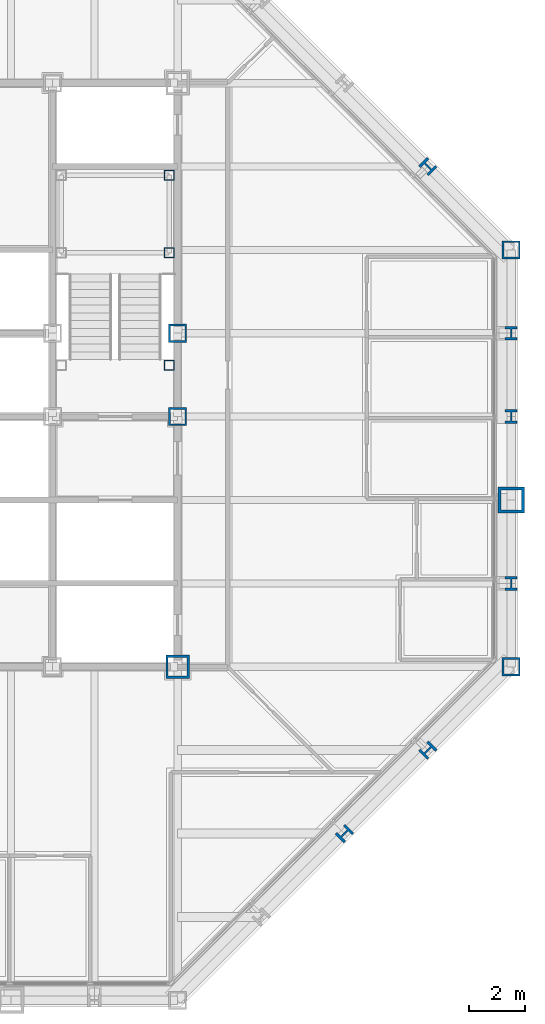
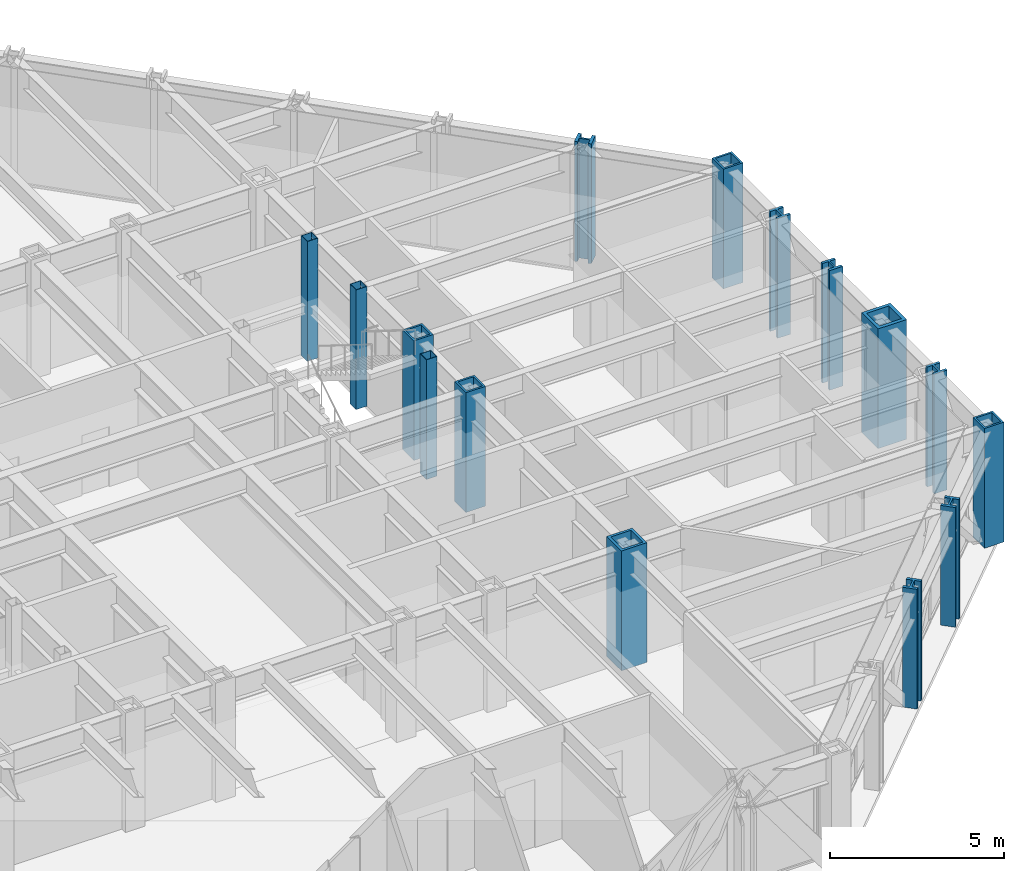
# One storey, part 2 of 15: 15 columns.
"""IFC4 building model written with IfcOpenShell, lengths in metres."""

from ifc_helpers import new_model, si_unit, direction, frame, origin, origin_2d, place, context, subcontext, project, spatial, hollow_rectangle, i_section, extrude, material, material_profile, profile_set, type_object, element, save


model = new_model("IFC4")

# Units and contexts
model_context = context("Model", 3, precision=1e-05, world=origin(), true_north=direction((0.0, 1.0)))
body_context = subcontext(model_context, "Body", "Model", "MODEL_VIEW")
ifc_project = project(units=[si_unit("LENGTHUNIT", "METRE"), si_unit("AREAUNIT", "SQUARE_METRE"), si_unit("VOLUMEUNIT", "CUBIC_METRE"), si_unit("PLANEANGLEUNIT", "RADIAN"), si_unit("MASSUNIT", "GRAM", prefix="KILO")], contexts=[model_context])

# Site, building, storey
site_placement = place(None, origin())
site = spatial("IfcSite", under=ifc_project, at=site_placement, CompositionType="ELEMENT")
building_placement = place(site_placement, origin())
building = spatial("IfcBuilding", under=site, at=building_placement, Name="Chuquiago Exchange Tower", CompositionType="ELEMENT")
storey_placement = place(building_placement, frame((0.0, 0.0, 184.5)))
storey = spatial("IfcBuildingStorey", under=building, at=storey_placement, Name="L40", CompositionType="ELEMENT", Elevation=184.5)

# Columns
ifc_material_1 = material(Name="Steel ASTM A992", Category="steel")
ifc_material_profile_1 = material_profile(ifc_material_1, i_section(OverallWidth=0.431884765625, OverallDepth=0.497802734375, WebThickness=0.0556640625, FlangeThickness=0.0888671875, at=origin_2d()), Name="W14X500")
ifc_profile_set_1 = profile_set([ifc_material_profile_1], Name="Steel ASTM A992")
column_type_1 = type_object("IfcColumnType", Name="C4 W14X500", PredefinedType="COLUMN", material=ifc_profile_set_1)
for number, where, z_axis, x_axis, name in (
    (1, (45.0, 15.0, 0.0), (0.0, 0.0, 1.0), (1.0, 0.0, 0.0), "COL-L40-45_15"),
    (2, (45.0, 21.0, 0.0), (0.0, 0.0, 1.0), (1.0, 0.0, 0.0), "COL-L40-45_21"),
    (3, (45.0, 24.0, 0.0), (0.0, 0.0, 1.0), (1.0, 0.0, 0.0), "COL-L40-45_24"),
):
    element("IfcColumn", number, at=place(storey_placement, frame(where, z_axis=z_axis, x_axis=x_axis)), inside=storey, type_object=column_type_1, Name=name, PredefinedType="COLUMN", context=body_context, shape_type="SweptSolid", body=[
        extrude(i_section(OverallWidth=0.431884765625, OverallDepth=0.497802734375, WebThickness=0.0556640625, FlangeThickness=0.0888671875, at=origin_2d()), origin(), (0.0, 0.0, 1.0), 4.199951171875),
    ])
ifc_material_2 = material(Name="Steel ASTM A572 Grade 50", Category="steel")
ifc_material_profile_2 = material_profile(ifc_material_2, hollow_rectangle(XDim=0.64990234375, YDim=0.64990234375, WallThickness=0.06494140625, at=origin_2d()), Name="BOX650X650X65")
ifc_profile_set_2 = profile_set([ifc_material_profile_2], Name="Steel ASTM A572 Grade 50")
column_type_2 = type_object("IfcColumnType", Name="CC4 BOX650X650X65", PredefinedType="COLUMN", material=ifc_profile_set_2)
for number, where, z_axis, x_axis, name in (
    (4, (33.0, 21.0, 0.0), (0.0, 0.0, 1.0), (1.0, 0.0, 0.0), "CCOL-L40-33_21"),
    (5, (33.0, 24.0, 0.0), (0.0, 0.0, 1.0), (1.0, 0.0, 0.0), "CCOL-L40-33_24"),
):
    element("IfcColumn", number, at=place(storey_placement, frame(where, z_axis=z_axis, x_axis=x_axis)), inside=storey, type_object=column_type_2, Name=name, PredefinedType="COLUMN", context=body_context, shape_type="SweptSolid", body=[
        extrude(hollow_rectangle(XDim=0.64990234375, YDim=0.64990234375, WallThickness=0.06494140625, at=origin_2d()), origin(), (0.0, 0.0, 1.0), 4.199951171875),
    ])
ifc_material_3 = material(Name="Steel ASTM A572 Grade 50", Category="steel")
ifc_material_profile_3 = material_profile(ifc_material_3, hollow_rectangle(XDim=0.85009765625, YDim=0.85009765625, WallThickness=0.0849609375, at=origin_2d()), Name="BOX850X850X85")
ifc_profile_set_3 = profile_set([ifc_material_profile_3], Name="Steel ASTM A572 Grade 50")
column_type_3 = type_object("IfcColumnType", Name="CC6 BOX850X850X85", PredefinedType="COLUMN", material=ifc_profile_set_3)
column_1_placement = place(storey_placement, frame((33.0, 12.0, 0.0), z_axis=(0.0, 0.0, 1.0), x_axis=(1.0, 0.0, 0.0)))
element("IfcColumn", 6, at=column_1_placement, inside=storey, type_object=column_type_3, Name="CCOL-L40-33_12", PredefinedType="COLUMN", context=body_context, shape_type="SweptSolid", body=[
    extrude(hollow_rectangle(XDim=0.85009765625, YDim=0.85009765625, WallThickness=0.0849609375, at=origin_2d()), origin(), (0.0, 0.0, 1.0), 4.199951171875),
])
ifc_material_4 = material(Name="Steel ASTM A992", Category="steel")
ifc_material_profile_4 = material_profile(ifc_material_4, i_section(OverallWidth=0.436767578125, OverallDepth=0.51318359375, WebThickness=0.060546875, FlangeThickness=0.096923828125, at=origin_2d()), Name="W14X550")
ifc_profile_set_4 = profile_set([ifc_material_profile_4], Name="Steel ASTM A992")
column_type_4 = type_object("IfcColumnType", Name="CK4 W14X550", PredefinedType="COLUMN", material=ifc_profile_set_4)
for number, where, z_axis, x_axis, name in (
    (7, (39.0, 6.0, 0.0), (0.0, 0.0, 1.0), (0.707106781187, -0.707106781187, 0.0), "COL-L40-39_6"),
    (8, (42.0, 9.0, 0.0), (0.0, 0.0, 1.0), (0.707106781187, -0.707106781187, 0.0), "COL-L40-42_9"),
    (9, (42.0, 30.0, 0.0), (0.0, 0.0, 1.0), (0.707106781187, 0.707106781187, 0.0), "COL-L40-42_30"),
):
    element("IfcColumn", number, at=place(storey_placement, frame(where, z_axis=z_axis, x_axis=x_axis)), inside=storey, type_object=column_type_4, Name=name, PredefinedType="COLUMN", context=body_context, shape_type="SweptSolid", body=[
        extrude(i_section(OverallWidth=0.436767578125, OverallDepth=0.51318359375, WebThickness=0.060546875, FlangeThickness=0.096923828125, at=origin_2d()), origin(), (0.0, 0.0, 1.0), 4.199951171875),
    ])
ifc_material_5 = material(Name="Steel ASTM A572 Grade 50", Category="steel")
ifc_material_profile_5 = material_profile(ifc_material_5, hollow_rectangle(XDim=0.64990234375, YDim=0.64990234375, WallThickness=0.06494140625, at=origin_2d()), Name="BOX650X650X65")
ifc_profile_set_5 = profile_set([ifc_material_profile_5], Name="Steel ASTM A572 Grade 50")
column_type_5 = type_object("IfcColumnType", Name="CN2 BOX650X650X65", PredefinedType="COLUMN", material=ifc_profile_set_5)
for number, where, z_axis, x_axis, name in (
    (10, (45.0, 12.0, 0.0), (0.0, 0.0, 1.0), (1.0, 0.0, 0.0), "COL-L40-45_12"),
    (11, (45.0, 27.0, 0.0), (0.0, 0.0, 1.0), (1.0, 0.0, 0.0), "COL-L40-45_27"),
):
    element("IfcColumn", number, at=place(storey_placement, frame(where, z_axis=z_axis, x_axis=x_axis)), inside=storey, type_object=column_type_5, Name=name, PredefinedType="COLUMN", context=body_context, shape_type="SweptSolid", body=[
        extrude(hollow_rectangle(XDim=0.64990234375, YDim=0.64990234375, WallThickness=0.06494140625, at=origin_2d()), origin(), (0.0, 0.0, 1.0), 4.199951171875),
    ])
ifc_material_6 = material(Name="Steel ASTM A572 Grade 42", Category="steel")
ifc_material_profile_6 = material_profile(ifc_material_6, hollow_rectangle(XDim=0.949951171875, YDim=0.949951171875, WallThickness=0.110107421875, at=origin_2d()), Name="BOX950X950X110")
ifc_profile_set_6 = profile_set([ifc_material_profile_6], Name="Steel ASTM A572 Grade 42")
column_type_6 = type_object("IfcColumnType", Name="CT1 BOX950X950X110", PredefinedType="COLUMN", material=ifc_profile_set_6)
column_2_placement = place(storey_placement, frame((45.0, 18.0, 0.0), z_axis=(0.0, 0.0, 1.0), x_axis=(1.0, 0.0, 0.0)))
element("IfcColumn", 12, at=column_2_placement, inside=storey, type_object=column_type_6, Name="COL-L40-45_18", PredefinedType="COLUMN", context=body_context, shape_type="SweptSolid", body=[
    extrude(hollow_rectangle(XDim=0.949951171875, YDim=0.949951171875, WallThickness=0.110107421875, at=origin_2d()), origin(), (0.0, 0.0, 1.0), 4.199951171875),
])
ifc_material_7 = material(Name="Steel ASTM A500 Grade C", Category="steel")
ifc_material_profile_7 = material_profile(ifc_material_7, hollow_rectangle(XDim=0.355712890625, YDim=0.355712890625, WallThickness=0.0146484375, at=origin_2d()), Name="HSS14X14X5/8")
ifc_profile_set_7 = profile_set([ifc_material_profile_7], Name="Steel ASTM A500 Grade C")
column_type_7 = type_object("IfcColumnType", Name="PT2 HSS14X14X5/8", PredefinedType="COLUMN", material=ifc_profile_set_7)
for number, where, z_axis, x_axis, name in (
    (13, (32.68994140625, 29.68994140625, 0.0), (0.0, 0.0, 1.0), (1.0, 0.0, 0.0), "Stair ST2 L40 landing post"),
    (14, (32.68994140625, 26.889892578125, 0.0), (0.0, 0.0, 1.0), (1.0, 0.0, 0.0), "Stair ST2 L40 landing post"),
    (15, (32.68994140625, 22.85009765625, 0.0), (0.0, 0.0, 1.0), (1.0, 0.0, 0.0), "Stair ST2 L40 landing post"),
):
    element("IfcColumn", number, at=place(storey_placement, frame(where, z_axis=z_axis, x_axis=x_axis)), inside=storey, type_object=column_type_7, Name=name, PredefinedType="COLUMN", context=body_context, shape_type="SweptSolid", body=[
        extrude(hollow_rectangle(XDim=0.355712890625, YDim=0.355712890625, WallThickness=0.0146484375, at=origin_2d()), origin(), (0.0, 0.0, 1.0), 4.199951171875),
    ])

save(model, "model.ifc")
